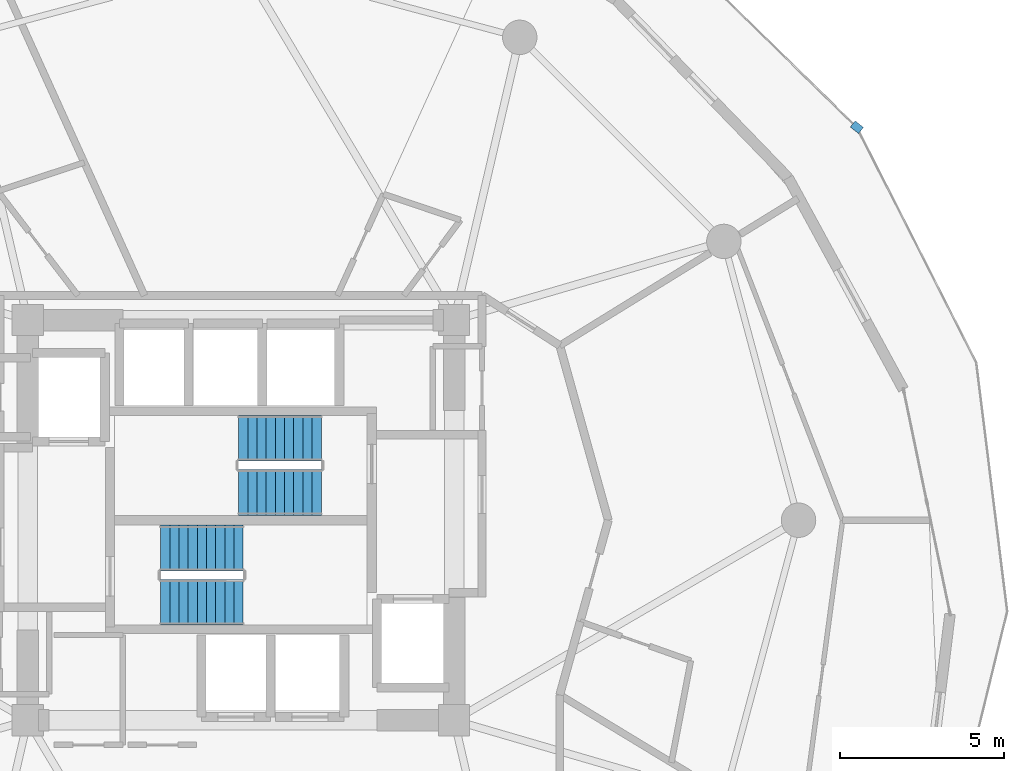
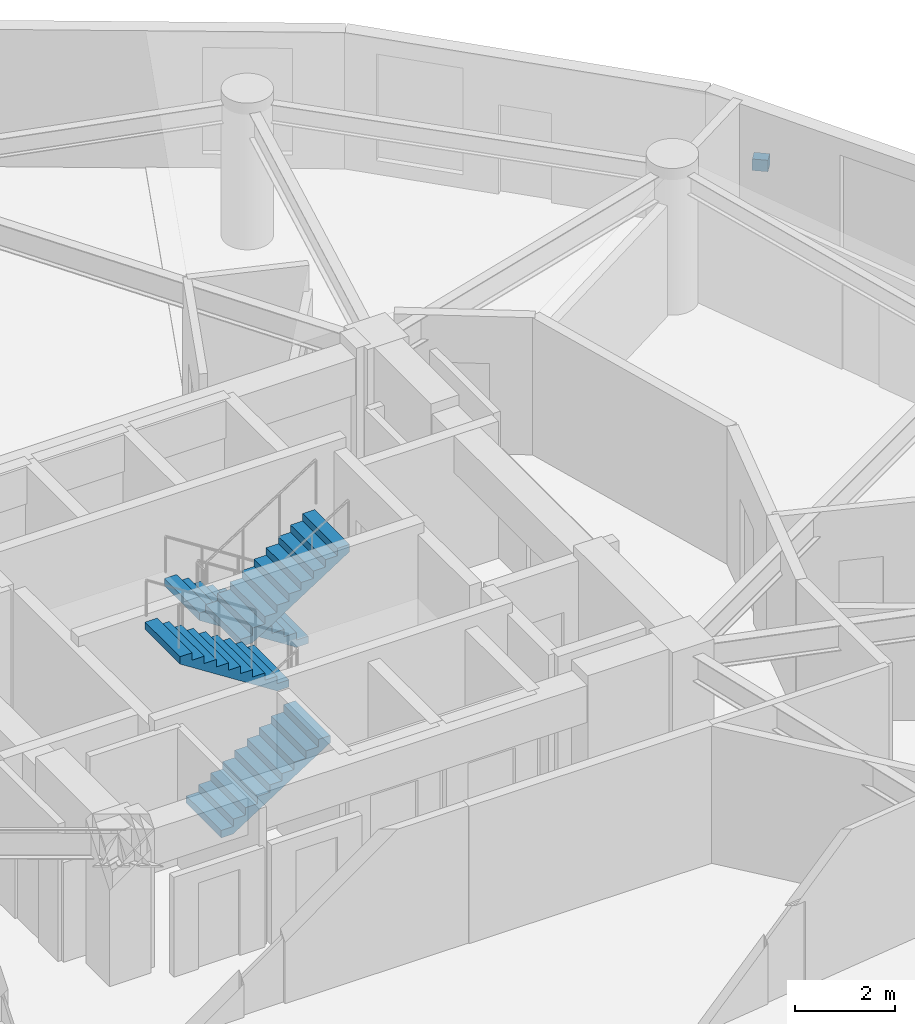
# One storey, part 23 of 25: 4 stair flights, 1 discrete accessory, 2 elements without a shape of their own.
"""IFC4 building model written with IfcOpenShell, lengths in metres."""

from ifc_helpers import new_model, si_unit, direction, frame, origin, origin_2d, place, context, subcontext, project, spatial, polyline, rectangle, outline, extrude, material, type_object, element, aggregate, save


model = new_model("IFC4")

# Units and contexts
model_context = context("Model", 3, precision=1e-05, world=origin(), true_north=direction((0.0, 1.0)))
body_context = subcontext(model_context, "Body", "Model", "MODEL_VIEW")
ifc_project = project(units=[si_unit("LENGTHUNIT", "METRE"), si_unit("AREAUNIT", "SQUARE_METRE"), si_unit("VOLUMEUNIT", "CUBIC_METRE"), si_unit("PLANEANGLEUNIT", "RADIAN"), si_unit("MASSUNIT", "GRAM", prefix="KILO")], contexts=[model_context])

# Site, building, storey
site_placement = place(None, origin())
site = spatial("IfcSite", under=ifc_project, at=site_placement, CompositionType="ELEMENT")
building_placement = place(site_placement, origin())
building = spatial("IfcBuilding", under=site, at=building_placement, Name="Solvirekh Grand Hotel", CompositionType="ELEMENT")
storey_placement = place(building_placement, frame((0.0, 0.0, 127.800048828125)))
storey = spatial("IfcBuildingStorey", under=building, at=storey_placement, Name="L32", CompositionType="ELEMENT", Elevation=127.800048828125)

# Stair, stair flights
ifc_material_1 = material(Name="Concrete C40/50", Category="concrete")
stair_type = type_object("IfcStairType", Name="Stair_Core_1450", PredefinedType="HALF_TURN_STAIR", material=ifc_material_1)
stair_1_placement = place(storey_placement, origin())
stair_1 = element("IfcStair", 1, at=stair_1_placement, inside=storey, type_object=stair_type, Name="L32 Enclosed exit stair ST-1", PredefinedType="HALF_TURN_STAIR")
stair_flight_type = type_object("IfcStairFlightType", Name="Flight_Core_1450", PredefinedType="STRAIGHT", material=ifc_material_1)
stair_flight_1_placement = place(storey_placement, frame((-2.449951171875, -2.5, 0.0), z_axis=(0.0, 0.0, 1.0), x_axis=(1.0, 0.0, 0.0)))
stair_flight_1 = element("IfcStairFlight", 2, at=stair_flight_1_placement, type_object=stair_flight_type, Name="ST-1 flight 1", NumberOfRisers=10, NumberOfTreads=9, PredefinedType="STRAIGHT", RiserHeight=0.18, TreadLength=0.28, context=body_context, shape_type="SweptSolid", body=[
    extrude(outline(polyline([(0.0, 0.0), (0.0, 0.179931640625), (0.280029296875, 0.179931640625), (0.280029296875, 0.360107421875), (0.56005859375, 0.360107421875), (0.56005859375, 0.5400390625), (0.840087890625, 0.5400390625), (0.840087890625, 0.719970703125), (1.1201171875, 0.719970703125), (1.1201171875, 0.89990234375), (1.39990234375, 0.89990234375), (1.39990234375, 1.080078125), (1.679931640625, 1.080078125), (1.679931640625, 1.260009765625), (1.9599609375, 1.260009765625), (1.9599609375, 1.43994140625), (2.239990234375, 1.43994140625), (2.239990234375, 1.6201171875), (2.52001953125, 1.6201171875), (2.52001953125, 1.800048828125), (2.52001953125, 1.44189453125), (0.277099609375, 0.0), (0.0, 0.0)])), frame((0.0, 0.699951171875, 0.0), z_axis=(0.0, -1.0, 0.0), x_axis=(1.0, 0.0, 0.0)), (0.0, 0.0, 1.0), 1.39990234375),
])
stair_flight_2_placement = place(storey_placement, frame((0.070068359375, -0.85009765625, 1.800048828125), z_axis=(0.0, 0.0, 1.0), x_axis=(-1.0, 0.0, 0.0)))
stair_flight_2 = element("IfcStairFlight", 3, at=stair_flight_2_placement, type_object=stair_flight_type, Name="ST-1 flight 2", NumberOfRisers=10, NumberOfTreads=9, PredefinedType="STRAIGHT", RiserHeight=0.18, TreadLength=0.28, context=body_context, shape_type="SweptSolid", body=[
    extrude(outline(polyline([(0.0, 0.0), (0.0, 0.179931640625), (0.280029296875, 0.179931640625), (0.280029296875, 0.360107421875), (0.56005859375, 0.360107421875), (0.56005859375, 0.5400390625), (0.840087890625, 0.5400390625), (0.840087890625, 0.719970703125), (1.1201171875, 0.719970703125), (1.1201171875, 0.89990234375), (1.39990234375, 0.89990234375), (1.39990234375, 1.080078125), (1.679931640625, 1.080078125), (1.679931640625, 1.260009765625), (1.9599609375, 1.260009765625), (1.9599609375, 1.43994140625), (2.239990234375, 1.43994140625), (2.239990234375, 1.6201171875), (2.52001953125, 1.6201171875), (2.52001953125, 1.800048828125), (2.52001953125, 1.44189453125), (0.277099609375, 0.0), (0.0, 0.0)])), frame((0.0, 0.699951171875, 0.0), z_axis=(0.0, -1.0, 0.0), x_axis=(1.0, 0.0, 0.0)), (0.0, 0.0, 1.0), 1.39990234375),
])
aggregate(stair_1, [stair_flight_1, stair_flight_2])

stair_2_placement = place(storey_placement, origin())
stair_2 = element("IfcStair", 4, at=stair_2_placement, inside=storey, type_object=stair_type, Name="L32 Enclosed exit stair ST-2", PredefinedType="HALF_TURN_STAIR")
stair_flight_3_placement = place(storey_placement, frame((2.449951171875, 2.5, 0.0), z_axis=(0.0, 0.0, 1.0), x_axis=(-1.0, 0.0, 0.0)))
stair_flight_3 = element("IfcStairFlight", 5, at=stair_flight_3_placement, type_object=stair_flight_type, Name="ST-2 flight 1", NumberOfRisers=10, NumberOfTreads=9, PredefinedType="STRAIGHT", RiserHeight=0.18, TreadLength=0.28, context=body_context, shape_type="SweptSolid", body=[
    extrude(outline(polyline([(0.0, 0.0), (0.0, 0.179931640625), (0.280029296875, 0.179931640625), (0.280029296875, 0.360107421875), (0.56005859375, 0.360107421875), (0.56005859375, 0.5400390625), (0.840087890625, 0.5400390625), (0.840087890625, 0.719970703125), (1.1201171875, 0.719970703125), (1.1201171875, 0.89990234375), (1.39990234375, 0.89990234375), (1.39990234375, 1.080078125), (1.679931640625, 1.080078125), (1.679931640625, 1.260009765625), (1.9599609375, 1.260009765625), (1.9599609375, 1.43994140625), (2.239990234375, 1.43994140625), (2.239990234375, 1.6201171875), (2.52001953125, 1.6201171875), (2.52001953125, 1.800048828125), (2.52001953125, 1.44189453125), (0.277099609375, 0.0), (0.0, 0.0)])), frame((0.0, 0.699951171875, 0.0), z_axis=(0.0, -1.0, 0.0), x_axis=(1.0, 0.0, 0.0)), (0.0, 0.0, 1.0), 1.39990234375),
])
stair_flight_4_placement = place(storey_placement, frame((-0.070068359375, 0.85009765625, 1.800048828125), z_axis=(0.0, 0.0, 1.0), x_axis=(1.0, 0.0, 0.0)))
stair_flight_4 = element("IfcStairFlight", 6, at=stair_flight_4_placement, type_object=stair_flight_type, Name="ST-2 flight 2", NumberOfRisers=10, NumberOfTreads=9, PredefinedType="STRAIGHT", RiserHeight=0.18, TreadLength=0.28, context=body_context, shape_type="SweptSolid", body=[
    extrude(outline(polyline([(0.0, 0.0), (0.0, 0.179931640625), (0.280029296875, 0.179931640625), (0.280029296875, 0.360107421875), (0.56005859375, 0.360107421875), (0.56005859375, 0.5400390625), (0.840087890625, 0.5400390625), (0.840087890625, 0.719970703125), (1.1201171875, 0.719970703125), (1.1201171875, 0.89990234375), (1.39990234375, 0.89990234375), (1.39990234375, 1.080078125), (1.679931640625, 1.080078125), (1.679931640625, 1.260009765625), (1.9599609375, 1.260009765625), (1.9599609375, 1.43994140625), (2.239990234375, 1.43994140625), (2.239990234375, 1.6201171875), (2.52001953125, 1.6201171875), (2.52001953125, 1.800048828125), (2.52001953125, 1.44189453125), (0.277099609375, 0.0), (0.0, 0.0)])), frame((0.0, 0.699951171875, 0.0), z_axis=(0.0, -1.0, 0.0), x_axis=(1.0, 0.0, 0.0)), (0.0, 0.0, 1.0), 1.39990234375),
])
aggregate(stair_2, [stair_flight_3, stair_flight_4])

# Discrete accessory
ifc_material_2 = material(Name="Steel S355", Category="steel")
discrete_accessory_type = type_object("IfcDiscreteAccessoryType", Name="Acc_ThermalBracket", PredefinedType="BRACKET", material=ifc_material_2)
discrete_accessory_placement = place(storey_placement, frame((18.778076171875, 11.98193359375, -0.2802734375), z_axis=(0.0, 0.0, 1.0), x_axis=(0.783693457326, -0.621147780278, 0.0)))
element("IfcDiscreteAccessory", 7, at=discrete_accessory_placement, inside=storey, type_object=discrete_accessory_type, Name="L32 balcony thermal-break bracket", PredefinedType="BRACKET", context=body_context, shape_type="SweptSolid", body=[
    extrude(rectangle(XDim=0.320068359375, YDim=0.239990234375, at=origin_2d()), origin(), (0.0, 0.0, 1.0), 0.280029296875),
])

save(model, "model.ifc")
